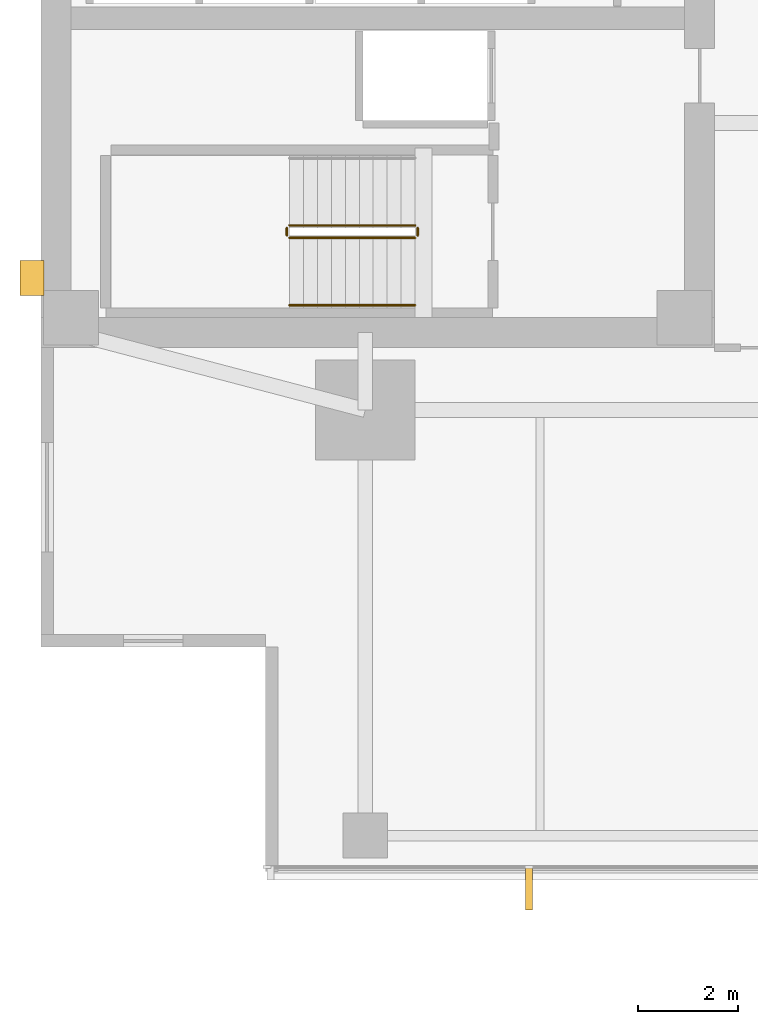
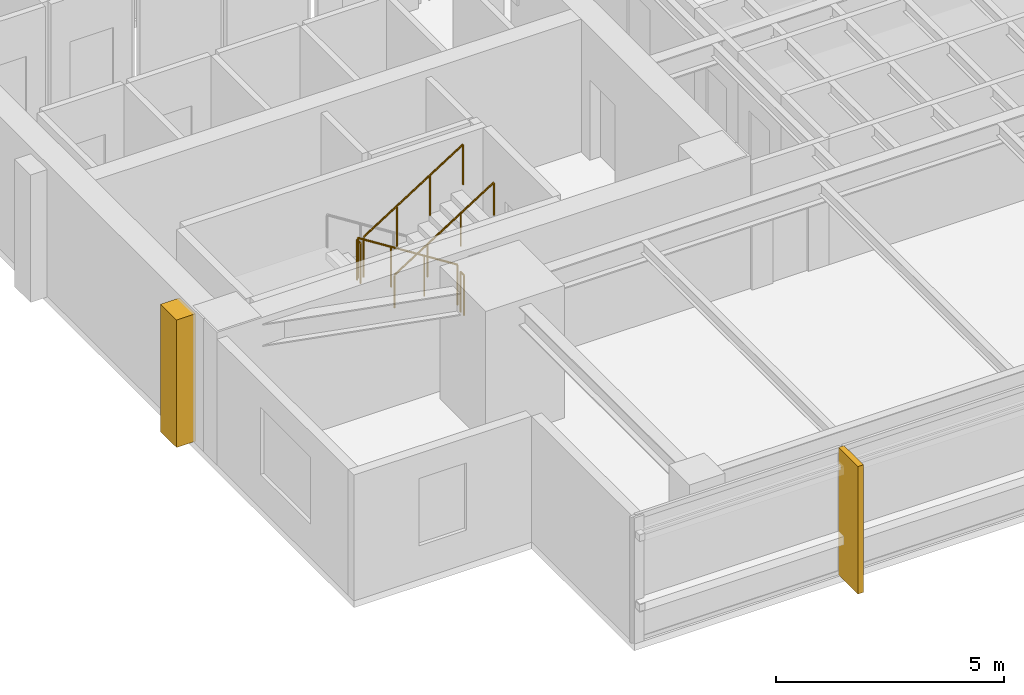
# One storey, part 11 of 14: 5 railings, 2 coverings.
"""IFC4 building model written with IfcOpenShell, lengths in metres."""

from ifc_helpers import new_model, si_unit, direction, frame, origin, origin_2d, place, context, subcontext, project, spatial, polyline, circle, outline, extrude, material, layer, layer_set, type_object, element, save


model = new_model("IFC4")

# Units and contexts
model_context = context("Model", 3, precision=1e-05, world=origin(), true_north=direction((0.0, 1.0)))
body_context = subcontext(model_context, "Body", "Model", "MODEL_VIEW")
ifc_project = project(units=[si_unit("LENGTHUNIT", "METRE"), si_unit("AREAUNIT", "SQUARE_METRE"), si_unit("VOLUMEUNIT", "CUBIC_METRE"), si_unit("PLANEANGLEUNIT", "RADIAN"), si_unit("MASSUNIT", "GRAM", prefix="KILO")], contexts=[model_context])

# Site, building, storey
site_placement = place(None, origin())
site = spatial("IfcSite", under=ifc_project, at=site_placement, CompositionType="ELEMENT")
building_placement = place(site_placement, origin())
building = spatial("IfcBuilding", under=site, at=building_placement, Name="Kinhvarn Gate Tower", CompositionType="ELEMENT")
storey_placement = place(building_placement, frame((0.0, 0.0, 162.60009765625)))
storey = spatial("IfcBuildingStorey", under=building, at=storey_placement, Name="L43", CompositionType="ELEMENT", Elevation=162.60009765625)

# Coverings
ifc_material_1 = material(Name="Fired architectural terracotta", Category="masonry")
ifc_layer_1 = layer(ifc_material_1, 0.139892578125)
ifc_layer_set_1 = layer_set([ifc_layer_1], Name="Fired architectural terracotta")
covering_type_1 = type_object("IfcCoveringType", Name="COV-FIN-850", PredefinedType="CLADDING", material=ifc_layer_set_1)
covering_1_placement = place(storey_placement, frame((0.0, 0.0, -0.02001953125)))
element("IfcCovering", 1, at=covering_1_placement, inside=storey, type_object=covering_type_1, Name="Vertical Terracotta Expressive Fin TFN-850 (L43)", PredefinedType="CLADDING", context=body_context, shape_type="SweptSolid", body=[
    extrude(outline(polyline([(14.2158203125, 3.580078125), (14.355712890625, 3.580078125), (14.355712890625, 2.72998046875), (14.2158203125, 2.72998046875), (14.2158203125, 3.580078125)])), origin(), (0.0, 0.0, 1.0), 3.409912109375),
])
ifc_material_2 = material(Name="Precast white architectural concrete C40/50", Category="concrete")
ifc_layer_2 = layer(ifc_material_2, 0.47998046875)
ifc_layer_set_2 = layer_set([ifc_layer_2], Name="Precast white architectural concrete C40/50")
covering_type_2 = type_object("IfcCoveringType", Name="COV-RIB-450", PredefinedType="CLADDING", material=ifc_layer_set_2)
covering_2_placement = place(storey_placement, frame((0.0, 0.0, -0.02001953125)))
element("IfcCovering", 2, at=covering_2_placement, inside=storey, type_object=covering_type_2, Name="West Core Sculptural Concrete Relief Rib CRB-450 (L43)", PredefinedType="CLADDING", context=body_context, shape_type="SweptSolid", body=[
    extrude(outline(polyline([(4.080078125, 15.050048828125), (4.56005859375, 15.050048828125), (4.56005859375, 15.75), (4.080078125, 15.75), (4.080078125, 15.050048828125)])), origin(), (0.0, 0.0, 1.0), 3.409912109375),
])

# Railings
ifc_material_3 = material(Name="Steel S355", Category="steel")
railing_type_1 = type_object("IfcRailingType", Name="RL-ST-GRD", PredefinedType="BALUSTRADE", material=ifc_material_3)
railing_1_placement = place(storey_placement, frame((12.0, 16.449951171875, 0.177490234375)))
element("IfcRailing", 3, at=railing_1_placement, inside=storey, type_object=railing_type_1, Name="L43 ST1 stair guard 1", PredefinedType="BALUSTRADE", context=body_context, shape_type="SweptSolid", body=[
    extrude(circle(Radius=0.02392578125, at=origin_2d()), frame((0.0, 0.0, 1.076171875), z_axis=(-0.84460694969, 0.0, 0.535386869969), x_axis=(0.0, -1.0, 0.0)), (0.0, 0.0, 1.0), 2.983642578125),
    extrude(circle(Radius=0.02099609375, at=origin_2d()), origin(), (0.0, 0.0, 1.0), 1.052001953125),
    extrude(circle(Radius=0.02099609375, at=origin_2d()), frame((-0.840087890625, 0.0, 0.532470703125)), (0.0, 0.0, 1.0), 1.052001953125),
    extrude(circle(Radius=0.02099609375, at=origin_2d()), frame((-1.679931640625, 0.0, 1.06494140625)), (0.0, 0.0, 1.0), 1.052001953125),
    extrude(circle(Radius=0.02099609375, at=origin_2d()), frame((-2.52001953125, 0.0, 1.597412109375)), (0.0, 0.0, 1.0), 1.052001953125),
])
railing_2_placement = place(storey_placement, frame((9.429931640625, 16.39990234375, 1.77490234375)))
element("IfcRailing", 4, at=railing_2_placement, inside=storey, type_object=railing_type_1, Name="L43 ST1 stair guard 2", PredefinedType="BALUSTRADE", context=body_context, shape_type="SweptSolid", body=[
    extrude(circle(Radius=0.02392578125, at=origin_2d()), frame((0.0, 0.0, 1.076171875), z_axis=(0.0, -1.0, 0.0), x_axis=(1.0, 0.0, 0.0)), (0.0, 0.0, 1.0), 0.14990234375),
    extrude(circle(Radius=0.02099609375, at=origin_2d()), origin(), (0.0, 0.0, 1.0), 1.052001953125),
    extrude(circle(Radius=0.02099609375, at=origin_2d()), frame((0.0, -0.14990234375, 0.0)), (0.0, 0.0, 1.0), 1.052001953125),
])
railing_3_placement = place(storey_placement, frame((9.47998046875, 16.199951171875, 1.952392578125)))
element("IfcRailing", 5, at=railing_3_placement, inside=storey, type_object=railing_type_1, Name="L43 ST1 stair guard 3", PredefinedType="BALUSTRADE", context=body_context, shape_type="SweptSolid", body=[
    extrude(circle(Radius=0.02392578125, at=origin_2d()), frame((0.0, 0.0, 1.076171875), z_axis=(0.84460694969, 0.0, 0.535386869969), x_axis=(0.0, 1.0, 0.0)), (0.0, 0.0, 1.0), 2.983642578125),
    extrude(circle(Radius=0.02099609375, at=origin_2d()), origin(), (0.0, 0.0, 1.0), 1.052001953125),
    extrude(circle(Radius=0.02099609375, at=origin_2d()), frame((0.840087890625, 0.0, 0.532470703125)), (0.0, 0.0, 1.0), 1.052001953125),
    extrude(circle(Radius=0.02099609375, at=origin_2d()), frame((1.679931640625, 0.0, 1.06494140625)), (0.0, 0.0, 1.0), 1.052001953125),
    extrude(circle(Radius=0.02099609375, at=origin_2d()), frame((2.52001953125, 0.0, 1.597412109375)), (0.0, 0.0, 1.0), 1.052001953125),
])
railing_4_placement = place(storey_placement, frame((12.050048828125, 16.39990234375, 0.0)))
element("IfcRailing", 6, at=railing_4_placement, inside=storey, type_object=railing_type_1, Name="L43 ST1 stair guard 4", PredefinedType="BALUSTRADE", context=body_context, shape_type="SweptSolid", body=[
    extrude(circle(Radius=0.02392578125, at=origin_2d()), frame((0.0, 0.0, 1.076171875), z_axis=(0.0, -1.0, 0.0), x_axis=(1.0, 0.0, 0.0)), (0.0, 0.0, 1.0), 0.14990234375),
    extrude(circle(Radius=0.02099609375, at=origin_2d()), origin(), (0.0, 0.0, 1.0), 1.052001953125),
    extrude(circle(Radius=0.02099609375, at=origin_2d()), frame((0.0, -0.14990234375, 0.0)), (0.0, 0.0, 1.0), 1.052001953125),
])
railing_type_2 = type_object("IfcRailingType", Name="RL-ST-HND", PredefinedType="HANDRAIL", material=ifc_material_3)
railing_5_placement = place(storey_placement, frame((9.47998046875, 14.85009765625, 1.952392578125)))
element("IfcRailing", 7, at=railing_5_placement, inside=storey, type_object=railing_type_2, Name="L43 ST1 stair handrail 2", PredefinedType="HANDRAIL", context=body_context, shape_type="SweptSolid", body=[
    extrude(circle(Radius=0.02392578125, at=origin_2d()), frame((0.0, 0.0, 0.8759765625), z_axis=(0.84460694969, 0.0, 0.535386869969), x_axis=(0.0, 1.0, 0.0)), (0.0, 0.0, 1.0), 2.983642578125),
    extrude(circle(Radius=0.02099609375, at=origin_2d()), origin(), (0.0, 0.0, 1.0), 0.851806640625),
    extrude(circle(Radius=0.02099609375, at=origin_2d()), frame((0.840087890625, 0.0, 0.532470703125)), (0.0, 0.0, 1.0), 0.851806640625),
    extrude(circle(Radius=0.02099609375, at=origin_2d()), frame((1.679931640625, 0.0, 1.06494140625)), (0.0, 0.0, 1.0), 0.851806640625),
    extrude(circle(Radius=0.02099609375, at=origin_2d()), frame((2.52001953125, 0.0, 1.597412109375)), (0.0, 0.0, 1.0), 0.851806640625),
])

save(model, "model.ifc")
